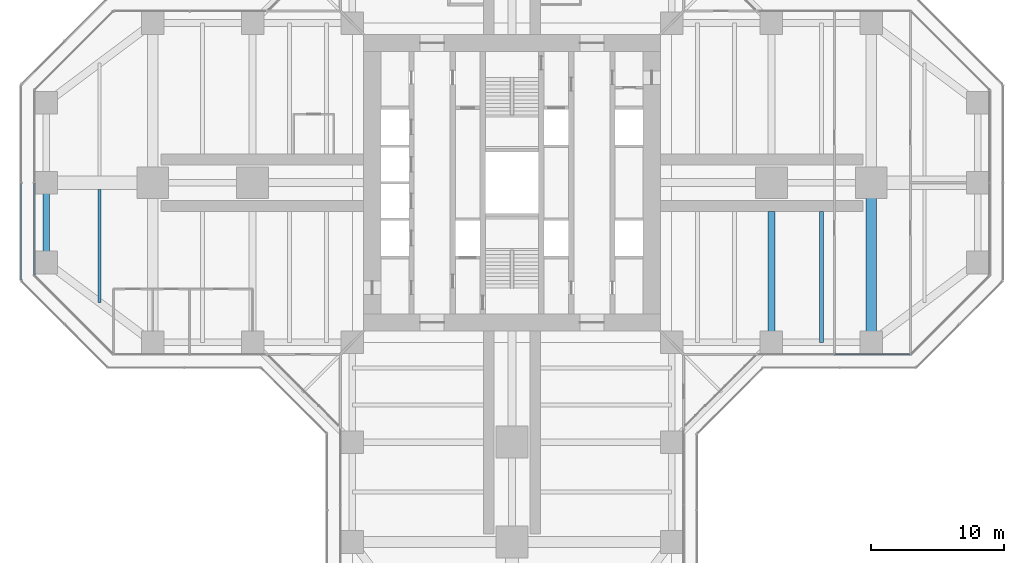
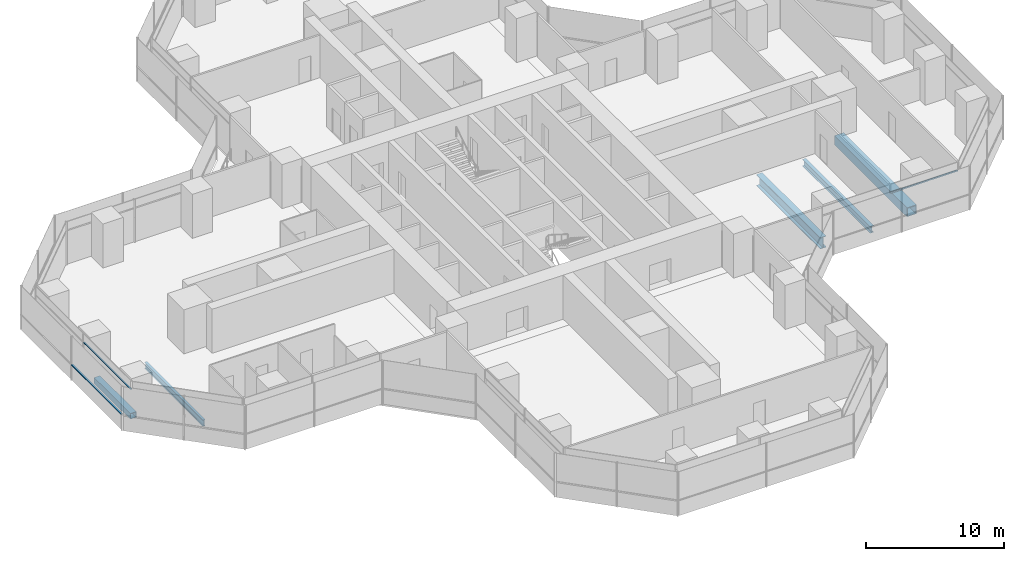
# One storey, part 7 of 22: 5 beams, 3 members, 3 elements without a shape of their own.
"""IFC4 building model written with IfcOpenShell, lengths in metres."""

from ifc_helpers import new_model, si_unit, direction, frame, origin, origin_2d, place, context, subcontext, project, spatial, rectangle, hollow_rectangle, i_section, extrude, material, material_profile, profile_set, type_object, element, aggregate, save


model = new_model("IFC4")

# Units and contexts
model_context = context("Model", 3, precision=1e-05, world=origin(), true_north=direction((0.0, 1.0)))
body_context = subcontext(model_context, "Body", "Model", "MODEL_VIEW")
ifc_project = project(units=[si_unit("LENGTHUNIT", "METRE"), si_unit("AREAUNIT", "SQUARE_METRE"), si_unit("VOLUMEUNIT", "CUBIC_METRE"), si_unit("PLANEANGLEUNIT", "RADIAN"), si_unit("MASSUNIT", "GRAM", prefix="KILO")], contexts=[model_context])

# Site, building, storey
site_placement = place(None, origin())
site = spatial("IfcSite", under=ifc_project, at=site_placement, CompositionType="ELEMENT")
building_placement = place(site_placement, origin())
building = spatial("IfcBuilding", under=site, at=building_placement, Name="Mizan Broadcast Tower", CompositionType="ELEMENT")
storey_placement = place(building_placement, frame((0.0, 0.0, 66.89990234375)))
storey = spatial("IfcBuildingStorey", under=building, at=storey_placement, Name="L13", CompositionType="ELEMENT", Elevation=66.89990234375)

# Beams
ifc_material_1 = material(Name="Steel S355", Category="steel")
ifc_material_profile_1 = material_profile(ifc_material_1, hollow_rectangle(XDim=0.5, YDim=0.5, WallThickness=0.030029296875, at=origin_2d()), Name="BOX 500x500x30")
ifc_profile_set_1 = profile_set([ifc_material_profile_1], Name="Steel S355")
beam_type_1 = type_object("IfcBeamType", Name="EDGE BEAM BOX 500x500x30", PredefinedType="SPANDREL", material=ifc_profile_set_1)
beam_1_placement = place(storey_placement, frame((-35.0, -5.639892578125, -0.3798828125), z_axis=(0.0, 1.0, 0.0), x_axis=(-1.0, 0.0, 0.0)))
element("IfcBeam", 1, at=beam_1_placement, inside=storey, type_object=beam_type_1, Name="Edge beam BOX 500x500x30 L13 west arm", PredefinedType="SPANDREL", context=body_context, shape_type="SweptSolid", body=[
    extrude(hollow_rectangle(XDim=0.5, YDim=0.5, WallThickness=0.030029296875, at=origin_2d()), origin(), (0.0, 0.0, 1.0), 5.27978515625),
])
ifc_material_2 = material(Name="Steel S460", Category="steel")
ifc_material_profile_2 = material_profile(ifc_material_2, hollow_rectangle(XDim=0.800048828125, YDim=0.800048828125, WallThickness=0.050048828125, at=origin_2d()), Name="BOX 800x800x50")
ifc_profile_set_2 = profile_set([ifc_material_profile_2], Name="Steel S460")
beam_type_2 = type_object("IfcBeamType", Name="GIRDER BOX 800x800x50", PredefinedType="BEAM", material=ifc_profile_set_2)
beam_2_placement = place(storey_placement, frame((27.0, -11.280029296875, -0.52978515625), z_axis=(0.0, 1.0, 0.0), x_axis=(-1.0, 0.0, 0.0)))
element("IfcBeam", 2, at=beam_2_placement, inside=storey, type_object=beam_type_2, Name="Girder BOX 800x800x50 L13 east arm", PredefinedType="BEAM", context=body_context, shape_type="SweptSolid", body=[
    extrude(hollow_rectangle(XDim=0.800048828125, YDim=0.800048828125, WallThickness=0.050048828125, at=origin_2d()), origin(), (0.0, 0.0, 1.0), 10.56005859375),
])
ifc_material_3 = material(Name="Steel S460", Category="steel")
ifc_material_profile_3 = material_profile(ifc_material_3, i_section(OverallWidth=0.5, OverallDepth=1.0, WebThickness=0.02490234375, FlangeThickness=0.050048828125, at=origin_2d()), Name="WPG 1000x500")
ifc_profile_set_3 = profile_set([ifc_material_profile_3], Name="Steel S460")
beam_type_3 = type_object("IfcBeamType", Name="GIRDER WPG 1000x500", PredefinedType="BEAM", material=ifc_profile_set_3)
beam_3_placement = place(storey_placement, frame((19.5, -11.408935546875, -0.6298828125), z_axis=(0.0, 1.0, 0.0), x_axis=(-1.0, 0.0, 0.0)))
element("IfcBeam", 3, at=beam_3_placement, inside=storey, type_object=beam_type_3, Name="Girder WPG 1000x500 L13 east arm", PredefinedType="BEAM", context=body_context, shape_type="SweptSolid", body=[
    extrude(i_section(OverallWidth=0.5, OverallDepth=1.0, WebThickness=0.02490234375, FlangeThickness=0.050048828125, at=origin_2d()), origin(), (0.0, 0.0, 1.0), 9.259033203125),
])

# Curtain wall, member
ifc_material_4 = material(Name="Aluminium framed glazing", Category="aluminium")
curtain_wall_type_1 = type_object("IfcCurtainWallType", Name="INNER SKIN LOW ZONE", PredefinedType="USERDEFINED", material=ifc_material_4)
curtain_wall_1_placement = place(storey_placement, origin())
curtain_wall_1 = element("IfcCurtainWall", 4, at=curtain_wall_1_placement, inside=storey, type_object=curtain_wall_type_1, Name="Inner skin low zone L13 E side", ObjectType="INNER SKIN LOW ZONE", PredefinedType="USERDEFINED")
ifc_material_5 = material(Name="Aluminium, pale anodised", Category="aluminium")
ifc_material_profile_4 = material_profile(ifc_material_5, rectangle(XDim=0.1201171875, YDim=0.06005859375, at=origin_2d()), Name="TRANSOM 120x60")
ifc_profile_set_4 = profile_set([ifc_material_profile_4], Name="Aluminium, pale anodised")
member_type_1 = type_object("IfcMemberType", Name="INNER SKIN TRANSOM 60x120", PredefinedType="USERDEFINED", material=ifc_profile_set_4)
member_1_placement = place(storey_placement, frame((24.25927734375, -12.89990234375, 3.030029296875), z_axis=(1.0, 0.0, 0.0), x_axis=(0.0, 1.0, 0.0)))
member_1 = element("IfcMember", 5, at=member_1_placement, type_object=member_type_1, Name="Inner skin low zone L13 E side transom 2.1", ObjectType="TRANSOM", PredefinedType="USERDEFINED", context=body_context, shape_type="SweptSolid", body=[
    extrude(rectangle(XDim=0.1201171875, YDim=0.06005859375, at=origin_2d()), origin(), (0.0, 0.0, 1.0), 5.639404296875),
])
aggregate(curtain_wall_1, [member_1])

curtain_wall_2_placement = place(storey_placement, origin())
curtain_wall_2 = element("IfcCurtainWall", 6, at=curtain_wall_2_placement, inside=storey, type_object=curtain_wall_type_1, Name="Inner skin low zone L13 W end", ObjectType="INNER SKIN LOW ZONE", PredefinedType="USERDEFINED")
member_2_placement = place(storey_placement, frame((-35.89990234375, -0.030029296875, 3.030029296875), z_axis=(0.0, -1.0, 0.0), x_axis=(1.0, 0.0, 0.0)))
member_2 = element("IfcMember", 7, at=member_2_placement, type_object=member_type_1, Name="Inner skin low zone L13 W end transom 2.1", ObjectType="TRANSOM", PredefinedType="USERDEFINED", context=body_context, shape_type="SweptSolid", body=[
    extrude(rectangle(XDim=0.1201171875, YDim=0.06005859375, at=origin_2d()), origin(), (0.0, 0.0, 1.0), 6.86865234375),
])
aggregate(curtain_wall_2, [member_2])

ifc_material_6 = material(Name="Aluminium framed glazing", Category="aluminium")
curtain_wall_type_2 = type_object("IfcCurtainWallType", Name="OUTER SKIN", PredefinedType="USERDEFINED", material=ifc_material_6)
curtain_wall_3_placement = place(storey_placement, origin())
curtain_wall_3 = element("IfcCurtainWall", 8, at=curtain_wall_3_placement, inside=storey, type_object=curtain_wall_type_2, Name="Outer skin L13 W end", ObjectType="OUTER SKIN", PredefinedType="USERDEFINED")
ifc_material_7 = material(Name="Aluminium, pale anodised", Category="aluminium")
ifc_material_profile_5 = material_profile(ifc_material_7, rectangle(XDim=0.159912109375, YDim=0.06005859375, at=origin_2d()), Name="TRANSOM 160x60")
ifc_profile_set_5 = profile_set([ifc_material_profile_5], Name="Aluminium, pale anodised")
member_type_2 = type_object("IfcMemberType", Name="OUTER SKIN TRANSOM 60x160", PredefinedType="USERDEFINED", material=ifc_profile_set_5)
member_3_placement = place(storey_placement, frame((-36.89990234375, -0.0400390625, 1.400146484375), z_axis=(0.0, -1.0, 0.0), x_axis=(1.0, 0.0, 0.0)))
member_3 = element("IfcMember", 9, at=member_3_placement, type_object=member_type_2, Name="Outer skin L13 W end transom 2.1", ObjectType="TRANSOM", PredefinedType="USERDEFINED", context=body_context, shape_type="SweptSolid", body=[
    extrude(rectangle(XDim=0.159912109375, YDim=0.06005859375, at=origin_2d()), origin(), (0.0, 0.0, 1.0), 7.252685546875),
])
aggregate(curtain_wall_3, [member_3])

# Beams
ifc_material_8 = material(Name="Steel S355", Category="steel")
ifc_material_profile_6 = material_profile(ifc_material_8, i_section(OverallWidth=0.300048828125, OverallDepth=0.590087890625, WebThickness=0.012939453125, FlangeThickness=0.02490234375, FilletRadius=0.027099609375, at=origin_2d()), Name="HEA 600")
ifc_profile_set_6 = profile_set([ifc_material_profile_6], Name="Steel S355")
beam_type_4 = type_object("IfcBeamType", Name="SECONDARY BEAM HEA 600", PredefinedType="JOIST", material=ifc_profile_set_6)
beam_4_placement = place(storey_placement, frame((23.25, -12.0, -0.4248046875), z_axis=(0.0, 1.0, 0.0), x_axis=(-1.0, 0.0, 0.0)))
element("IfcBeam", 10, at=beam_4_placement, inside=storey, type_object=beam_type_4, Name="Secondary beam HEA 600 L13 east arm", PredefinedType="JOIST", context=body_context, shape_type="SweptSolid", body=[
    extrude(i_section(OverallWidth=0.300048828125, OverallDepth=0.590087890625, WebThickness=0.012939453125, FlangeThickness=0.02490234375, FilletRadius=0.027099609375, at=origin_2d()), origin(), (0.0, 0.0, 1.0), 9.85009765625),
])
ifc_material_9 = material(Name="Steel S355", Category="steel")
ifc_material_profile_7 = material_profile(ifc_material_9, i_section(OverallWidth=0.2099609375, OverallDepth=0.550048828125, WebThickness=0.010986328125, FlangeThickness=0.01708984375, FilletRadius=0.02392578125, at=origin_2d()), Name="IPE 550")
ifc_profile_set_7 = profile_set([ifc_material_profile_7], Name="Steel S355")
beam_type_5 = type_object("IfcBeamType", Name="SECONDARY BEAM IPE 550", PredefinedType="JOIST", material=ifc_profile_set_7)
beam_5_placement = place(storey_placement, frame((-31.0, -9.0, -0.40478515625), z_axis=(0.0, 1.0, 0.0), x_axis=(-1.0, 0.0, 0.0)))
element("IfcBeam", 11, at=beam_5_placement, inside=storey, type_object=beam_type_5, Name="Secondary beam IPE 550 L13 west arm", PredefinedType="JOIST", context=body_context, shape_type="SweptSolid", body=[
    extrude(i_section(OverallWidth=0.2099609375, OverallDepth=0.550048828125, WebThickness=0.010986328125, FlangeThickness=0.01708984375, FilletRadius=0.02392578125, at=origin_2d()), origin(), (0.0, 0.0, 1.0), 8.5),
])

save(model, "model.ifc")
